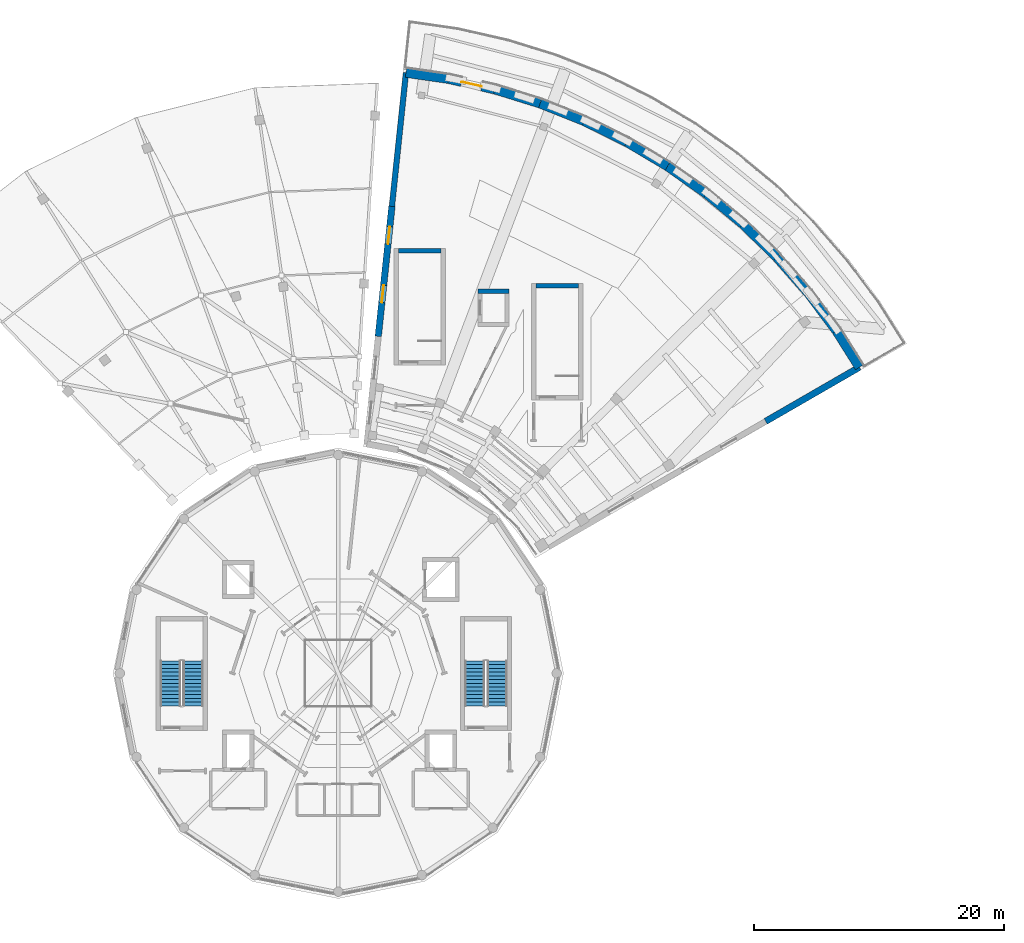
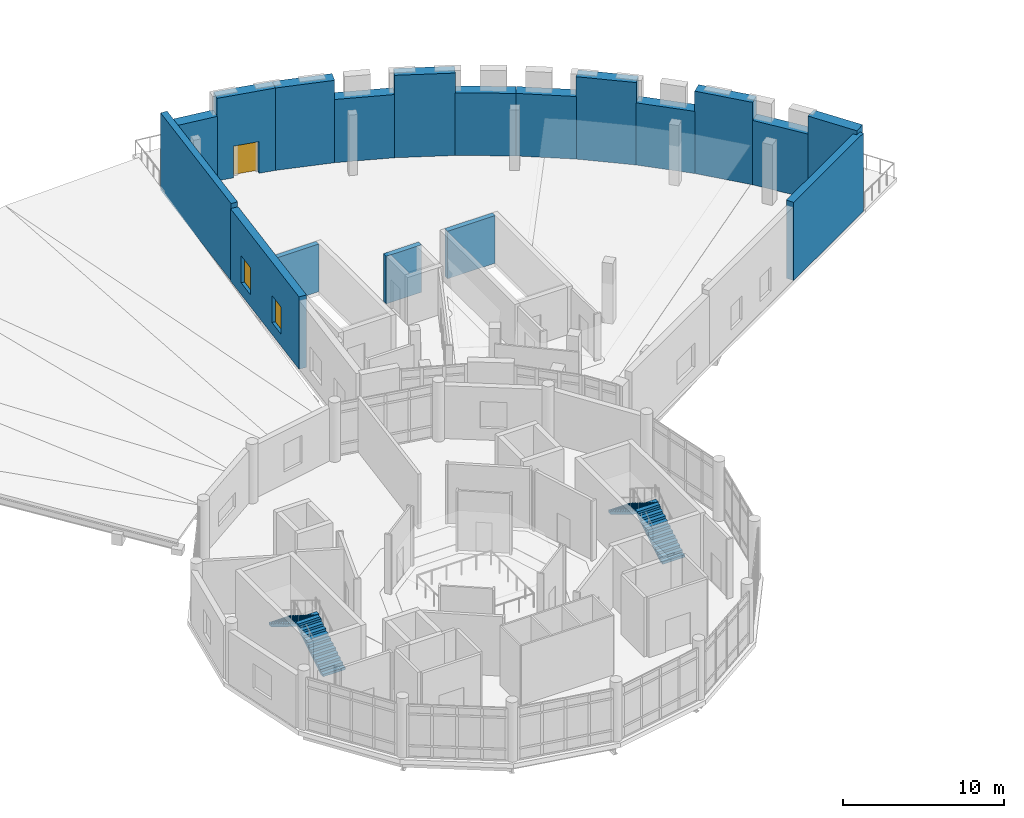
# One storey, part 24 of 27: 18 walls, 4 stair flights, 2 windows, 1 door, 3 openings, 2 elements without a shape of their own.
"""IFC4 building model written with IfcOpenShell, lengths in metres."""

from ifc_helpers import new_model, si_unit, direction, frame, frame_2d, origin, place, context, subcontext, project, spatial, polyline, rectangle, outline, extrude, material, layer, layer_set, type_object, element, fill, aggregate, save


model = new_model("IFC4")

# Units and contexts
model_context = context("Model", 3, precision=1e-05, world=origin(), true_north=direction((0.0, 1.0)))
body_context = subcontext(model_context, "Body", "Model", "MODEL_VIEW")
ifc_project = project(units=[si_unit("LENGTHUNIT", "METRE"), si_unit("AREAUNIT", "SQUARE_METRE"), si_unit("VOLUMEUNIT", "CUBIC_METRE"), si_unit("PLANEANGLEUNIT", "RADIAN"), si_unit("MASSUNIT", "GRAM", prefix="KILO")], contexts=[model_context])

# Site, building, storey
site_placement = place(None, origin())
site = spatial("IfcSite", under=ifc_project, at=site_placement, CompositionType="ELEMENT")
building_placement = place(site_placement, origin())
building = spatial("IfcBuilding", under=site, at=building_placement, Name="Soyqirgoq Riverine Aquarium", CompositionType="ELEMENT")
storey_placement = place(building_placement, frame((0.0, 0.0, 19.800048828125)))
storey = spatial("IfcBuildingStorey", under=building, at=storey_placement, Name="L05", CompositionType="ELEMENT", Elevation=19.800048828125)

# Walls
ifc_material_1 = material(Name="Concrete C40/50", Category="concrete")
ifc_layer_1 = layer(ifc_material_1, 0.35009765625)
ifc_layer_set_1 = layer_set([ifc_layer_1], Name="Concrete C40/50")
wall_type_1 = type_object("IfcWallType", Name="CoreShearWall_350_C40", PredefinedType="SHEAR", material=ifc_layer_set_1)
wall_1_placement = place(storey_placement, frame((64.199951171875, 90.77490234375, 0.0), z_axis=(0.0, 0.0, 1.0), x_axis=(-1.0, 0.0, 0.0)))
element("IfcWall", 1, at=wall_1_placement, inside=storey, type_object=wall_type_1, Name="CORE-5A L05 Stair Core Shear Wall BACK", PredefinedType="SHEAR", context=body_context, shape_type="SweptSolid", body=[
    extrude(rectangle(XDim=3.39990234375, YDim=0.35009765625, at=frame_2d((1.699951171875, 0.0))), origin(), (0.0, 0.0, 1.0), 3.599853515625),
])
wall_2_placement = place(storey_placement, frame((69.655029296875, 87.530029296875, 0.0), z_axis=(0.0, 0.0, 1.0), x_axis=(-1.0, 0.0, 0.0)))
element("IfcWall", 2, at=wall_2_placement, inside=storey, type_object=wall_type_1, Name="Lift PL-5 Shaft Wall L05 3", PredefinedType="SHEAR", context=body_context, shape_type="SweptSolid", body=[
    extrude(rectangle(XDim=2.510009765625, YDim=0.35009765625, at=frame_2d((1.2548828125, 0.0))), origin(), (0.0, 0.0, 1.0), 3.599853515625),
])
wall_3_placement = place(storey_placement, frame((75.199951171875, 87.97509765625, 0.0), z_axis=(0.0, 0.0, 1.0), x_axis=(-1.0, 0.0, 0.0)))
element("IfcWall", 3, at=wall_3_placement, inside=storey, type_object=wall_type_1, Name="CORE-5B L05 Stair Core Shear Wall BACK", PredefinedType="SHEAR", context=body_context, shape_type="SweptSolid", body=[
    extrude(rectangle(XDim=3.39990234375, YDim=0.35009765625, at=frame_2d((1.699951171875, 0.0))), origin(), (0.0, 0.0, 1.0), 3.599853515625),
])
ifc_material_2 = material(Name="Honed travertine limestone cavity wall", Category="masonry")
ifc_layer_2 = layer(ifc_material_2, 0.449951171875)
ifc_layer_set_2 = layer_set([ifc_layer_2], Name="Honed travertine limestone cavity wall")
wall_type_2 = type_object("IfcWallType", Name="TravertineCavityWall_450", PredefinedType="SOLIDWALL", material=ifc_layer_set_2)
wall_4_placement = place(storey_placement, frame((60.28271484375, 94.3037109375, 0.0), z_axis=(0.0, 0.0, 1.0), x_axis=(0.104535666462, 0.994521138256, 0.0)))
element("IfcWall", 4, at=wall_4_placement, inside=storey, type_object=wall_type_2, Name="V5 L05 Exterior Travertine Wall 0326", PredefinedType="SOLIDWALL", context=body_context, shape_type="SweptSolid", body=[
    extrude(rectangle(XDim=10.738525390625, YDim=0.449951171875, at=frame_2d((5.369140625, 0.0))), origin(), (0.0, 0.0, 1.0), 5.850341796875),
])

# Wall, openings, windows
ifc_material_3 = material(Name="Honed travertine limestone cavity wall", Category="masonry")
ifc_layer_3 = layer(ifc_material_3, 0.52001953125)
ifc_layer_set_3 = layer_set([ifc_layer_3], Name="Honed travertine limestone cavity wall")
wall_type_3 = type_object("IfcWallType", Name="TravertineCavityWall_520", PredefinedType="SOLIDWALL", material=ifc_layer_set_3)
wall_5_placement = place(storey_placement, frame((59.19140625, 83.92041015625, 0.0), z_axis=(0.0, 0.0, 1.0), x_axis=(0.10452654069, 0.994522097437, 0.0)))
wall_5 = element("IfcWall", 5, at=wall_5_placement, inside=storey, type_object=wall_type_3, Name="V5 L05 Exterior Travertine Wall 0325", PredefinedType="SOLIDWALL", context=body_context, shape_type="SweptSolid", body=[
    extrude(rectangle(XDim=10.4404296875, YDim=0.52001953125, at=frame_2d((5.22021484375, 0.0))), origin(), (0.0, 0.0, 1.0), 5.474609375),
])
opening_1_placement = place(wall_5_placement, frame((2.72021484375, 0.0, 0.89990234375)))
opening_1 = element("IfcOpeningElement", 6, at=opening_1_placement, cuts=wall_5, Name="Opening WN-20", PredefinedType="OPENING", context=body_context, shape_type="SweptSolid", body=[
    extrude(rectangle(XDim=1.39990234375, YDim=2.050048828125, at=frame_2d((0.699951171875, 1.02490234375))), frame((0.0, 0.27001953125, 0.0), z_axis=(0.0, -1.0, 0.0), x_axis=(1.0, 0.0, 0.0)), (0.0, 0.0, 1.0), 0.5400390625),
])
opening_2_placement = place(wall_5_placement, frame((7.420166015625, 0.0, 0.89990234375)))
opening_2 = element("IfcOpeningElement", 7, at=opening_2_placement, cuts=wall_5, Name="Opening WN-20", PredefinedType="OPENING", context=body_context, shape_type="SweptSolid", body=[
    extrude(rectangle(XDim=1.39990234375, YDim=2.050048828125, at=frame_2d((0.699951171875, 1.02490234375))), frame((0.0, 0.27001953125, 0.0), z_axis=(0.0, -1.0, 0.0), x_axis=(1.0, 0.0, 0.0)), (0.0, 0.0, 1.0), 0.5400390625),
])
ifc_material_4 = material(Name="Thermally broken aluminium triple low-E window", Category="aluminium")
window_type = type_object("IfcWindowType", Name="Win_Gallery_1400x2050", PartitioningType="DOUBLE_PANEL_VERTICAL", PredefinedType="WINDOW", material=ifc_material_4)
window_1_placement = place(opening_1_placement, origin())
window_1 = element("IfcWindow", 8, at=window_1_placement, inside=storey, type_object=window_type, Name="V5 L05 Facade Window 0270", OverallHeight=2.050048828125, OverallWidth=1.39990234375, PartitioningType="DOUBLE_PANEL_VERTICAL", PredefinedType="WINDOW", context=body_context, shape_type="SweptSolid", body=[
    extrude(rectangle(XDim=1.39990234375, YDim=2.050048828125, at=frame_2d((0.699951171875, 1.02490234375))), frame((0.0, 0.030029296875, 0.0), z_axis=(0.0, -1.0, 0.0), x_axis=(1.0, 0.0, 0.0)), (0.0, 0.0, 1.0), 0.06005859375),
])
fill(opening_1, window_1)
window_2_placement = place(opening_2_placement, origin())
window_2 = element("IfcWindow", 9, at=window_2_placement, inside=storey, type_object=window_type, Name="V5 L05 Facade Window 0271", OverallHeight=2.050048828125, OverallWidth=1.39990234375, PartitioningType="DOUBLE_PANEL_VERTICAL", PredefinedType="WINDOW", context=body_context, shape_type="SweptSolid", body=[
    extrude(rectangle(XDim=1.39990234375, YDim=2.050048828125, at=frame_2d((0.699951171875, 1.02490234375))), frame((0.0, 0.030029296875, 0.0), z_axis=(0.0, -1.0, 0.0), x_axis=(1.0, 0.0, 0.0)), (0.0, 0.0, 1.0), 0.06005859375),
])
fill(opening_2, window_2)

# Walls
wall_6_placement = place(storey_placement, frame((97.63671875, 81.45458984375, 0.0), z_axis=(0.0, 0.0, 1.0), x_axis=(-0.866032373877, -0.499987927251, 0.0)))
element("IfcWall", 10, at=wall_6_placement, inside=storey, type_object=wall_type_3, Name="V5 L05 Exterior Travertine Wall 0339", PredefinedType="SOLIDWALL", context=body_context, shape_type="SweptSolid", body=[
    extrude(rectangle(XDim=8.650634765625, YDim=0.52001953125, at=frame_2d((4.3251953125, 0.0))), origin(), (0.0, 0.0, 1.0), 5.925537109375),
])
ifc_material_5 = material(Name="Honed travertine limestone cavity wall", Category="masonry")
ifc_layer_4 = layer(ifc_material_5, 0.75)
ifc_layer_set_4 = layer_set([ifc_layer_4], Name="Honed travertine limestone cavity wall")
wall_type_4 = type_object("IfcWallType", Name="TravertineNicheWall_750", PredefinedType="SOLIDWALL", material=ifc_layer_set_4)
wall_7_placement = place(storey_placement, frame((61.4052734375, 104.9833984375, 0.0), z_axis=(0.0, 0.0, 1.0), x_axis=(0.989654305804, -0.143472488666, 0.0)))
element("IfcWall", 11, at=wall_7_placement, inside=storey, type_object=wall_type_4, Name="V5 L05 Exterior Travertine Wall 0327", PredefinedType="SOLIDWALL", context=body_context, shape_type="SweptSolid", body=[
    extrude(rectangle(XDim=3.43212890625, YDim=0.75, at=frame_2d((1.716064453125, 0.0))), origin(), (0.0, 0.0, 1.0), 4.87548828125),
])

# Wall, opening, door
wall_8_placement = place(storey_placement, frame((64.802001953125, 104.490966796875, 0.0), z_axis=(0.0, 0.0, 1.0), x_axis=(0.975346772392, -0.220677759604, 0.0)))
wall_8 = element("IfcWall", 12, at=wall_8_placement, inside=storey, type_object=wall_type_4, Name="V5 L05 Exterior Travertine Wall 0328", PredefinedType="SOLIDWALL", context=body_context, shape_type="SweptSolid", body=[
    extrude(rectangle(XDim=3.79248046875, YDim=0.75, at=frame_2d((1.896240234375, 0.0))), origin(), (0.0, 0.0, 1.0), 6.2373046875),
])
opening_3_placement = place(wall_8_placement, frame((1.0712890625, 0.0, 0.0)))
opening_3 = element("IfcOpeningElement", 13, at=opening_3_placement, cuts=wall_8, Name="Opening TD-03", PredefinedType="OPENING", context=body_context, shape_type="SweptSolid", body=[
    extrude(rectangle(XDim=1.64990234375, YDim=2.39990234375, at=frame_2d((0.824951171875, 1.199951171875))), frame((0.0, 0.385009765625, 0.0), z_axis=(0.0, -1.0, 0.0), x_axis=(1.0, 0.0, 0.0)), (0.0, 0.0, 1.0), 0.77001953125),
])
ifc_material_6 = material(Name="Thermally broken aluminium glazed terrace door", Category="aluminium")
door_type = type_object("IfcDoorType", Name="TerraceDoubleDoor_1650x2400", OperationType="DOUBLE_DOOR_SINGLE_SWING", PredefinedType="DOOR", material=ifc_material_6)
door_placement = place(opening_3_placement, origin())
door = element("IfcDoor", 14, at=door_placement, inside=storey, type_object=door_type, Name="EDR-TERR-V5-L05-032 V5 L05 Planted Roof Terrace Access Door", OperationType="DOUBLE_DOOR_SINGLE_SWING", OverallHeight=2.39990234375, OverallWidth=1.64990234375, PredefinedType="DOOR", context=body_context, shape_type="SweptSolid", body=[
    extrude(rectangle(XDim=1.64990234375, YDim=2.39990234375, at=frame_2d((0.824951171875, 1.199951171875))), frame((0.0, 0.02490234375, 0.0), z_axis=(0.0, -1.0, 0.0), x_axis=(1.0, 0.0, 0.0)), (0.0, 0.0, 1.0), 0.050048828125),
])
fill(opening_3, door)

# Walls
wall_9_placement = place(storey_placement, frame((68.5009765625, 103.654052734375, 0.0), z_axis=(0.0, 0.0, 1.0), x_axis=(0.955008821595, -0.296577394074, 0.0)))
element("IfcWall", 15, at=wall_9_placement, inside=storey, type_object=wall_type_4, Name="V5 L05 Exterior Travertine Wall 0329", PredefinedType="SOLIDWALL", context=body_context, shape_type="SweptSolid", body=[
    extrude(rectangle(XDim=3.79248046875, YDim=0.75, at=frame_2d((1.896240234375, 0.0))), origin(), (0.0, 0.0, 1.0), 6.2373046875),
])
wall_10_placement = place(storey_placement, frame((72.122802734375, 102.529296875, 0.0), z_axis=(0.0, 0.0, 1.0), x_axis=(0.928813725565, -0.3705469784, 0.0)))
element("IfcWall", 16, at=wall_10_placement, inside=storey, type_object=wall_type_4, Name="V5 L05 Exterior Travertine Wall 0330", PredefinedType="SOLIDWALL", context=body_context, shape_type="SweptSolid", body=[
    extrude(rectangle(XDim=3.79248046875, YDim=0.75, at=frame_2d((1.896240234375, 0.0))), origin(), (0.0, 0.0, 1.0), 4.785400390625),
])
wall_11_placement = place(storey_placement, frame((75.645263671875, 101.1240234375, 0.0), z_axis=(0.0, 0.0, 1.0), x_axis=(0.896885562372, -0.442262691178, 0.0)))
element("IfcWall", 17, at=wall_11_placement, inside=storey, type_object=wall_type_4, Name="V5 L05 Exterior Travertine Wall 0331", PredefinedType="SOLIDWALL", context=body_context, shape_type="SweptSolid", body=[
    extrude(rectangle(XDim=3.79248046875, YDim=0.75, at=frame_2d((1.896240234375, 0.0))), origin(), (0.0, 0.0, 1.0), 6.2373046875),
])
wall_12_placement = place(storey_placement, frame((79.046630859375, 99.44677734375, 0.0), z_axis=(0.0, 0.0, 1.0), x_axis=(0.859418161219, -0.51127333606, 0.0)))
element("IfcWall", 18, at=wall_12_placement, inside=storey, type_object=wall_type_4, Name="V5 L05 Exterior Travertine Wall 0332", PredefinedType="SOLIDWALL", context=body_context, shape_type="SweptSolid", body=[
    extrude(rectangle(XDim=3.79248046875, YDim=0.75, at=frame_2d((1.896240234375, 0.0))), origin(), (0.0, 0.0, 1.0), 4.7353515625),
])
wall_13_placement = place(storey_placement, frame((82.305908203125, 97.5078125, 0.0), z_axis=(0.0, 0.0, 1.0), x_axis=(0.816628763341, -0.57716328962, 0.0)))
element("IfcWall", 19, at=wall_13_placement, inside=storey, type_object=wall_type_4, Name="V5 L05 Exterior Travertine Wall 0333", PredefinedType="SOLIDWALL", context=body_context, shape_type="SweptSolid", body=[
    extrude(rectangle(XDim=3.792724609375, YDim=0.75, at=frame_2d((1.896484375, 0.0))), origin(), (0.0, 0.0, 1.0), 4.7353515625),
])
wall_14_placement = place(storey_placement, frame((85.403076171875, 95.31884765625, 0.0), z_axis=(0.0, 0.0, 1.0), x_axis=(0.768838295335, -0.639443254422, 0.0)))
element("IfcWall", 20, at=wall_14_placement, inside=storey, type_object=wall_type_4, Name="V5 L05 Exterior Travertine Wall 0334", PredefinedType="SOLIDWALL", context=body_context, shape_type="SweptSolid", body=[
    extrude(rectangle(XDim=3.79248046875, YDim=0.75, at=frame_2d((1.896240234375, 0.0))), origin(), (0.0, 0.0, 1.0), 6.2373046875),
])
wall_15_placement = place(storey_placement, frame((88.31884765625, 92.893798828125, 0.0), z_axis=(0.0, 0.0, 1.0), x_axis=(0.716284037486, -0.69780884033, 0.0)))
element("IfcWall", 21, at=wall_15_placement, inside=storey, type_object=wall_type_4, Name="V5 L05 Exterior Travertine Wall 0335", PredefinedType="SOLIDWALL", context=body_context, shape_type="SweptSolid", body=[
    extrude(rectangle(XDim=3.79248046875, YDim=0.75, at=frame_2d((1.896240234375, 0.0))), origin(), (0.0, 0.0, 1.0), 4.705322265625),
])
wall_16_placement = place(storey_placement, frame((91.035400390625, 90.247314453125, 0.0), z_axis=(0.0, 0.0, 1.0), x_axis=(0.659338242035, -0.751846448811, 0.0)))
element("IfcWall", 22, at=wall_16_placement, inside=storey, type_object=wall_type_4, Name="V5 L05 Exterior Travertine Wall 0336", PredefinedType="SOLIDWALL", context=body_context, shape_type="SweptSolid", body=[
    extrude(rectangle(XDim=3.79248046875, YDim=0.75, at=frame_2d((1.896240234375, 0.0))), origin(), (0.0, 0.0, 1.0), 6.2373046875),
])
wall_17_placement = place(storey_placement, frame((93.535888671875, 87.39599609375, 0.0), z_axis=(0.0, 0.0, 1.0), x_axis=(0.598371342972, -0.801218906361, 0.0)))
element("IfcWall", 23, at=wall_17_placement, inside=storey, type_object=wall_type_4, Name="V5 L05 Exterior Travertine Wall 0337", PredefinedType="SOLIDWALL", context=body_context, shape_type="SweptSolid", body=[
    extrude(rectangle(XDim=3.79248046875, YDim=0.75, at=frame_2d((1.896240234375, 0.0))), origin(), (0.0, 0.0, 1.0), 4.875732421875),
])
wall_18_placement = place(storey_placement, frame((95.80517578125, 84.357421875, 0.0), z_axis=(0.0, 0.0, 1.0), x_axis=(0.533612923232, -0.84572882661, 0.0)))
element("IfcWall", 24, at=wall_18_placement, inside=storey, type_object=wall_type_4, Name="V5 L05 Exterior Travertine Wall 0338", PredefinedType="SOLIDWALL", context=body_context, shape_type="SweptSolid", body=[
    extrude(rectangle(XDim=3.432373046875, YDim=0.75, at=frame_2d((1.71630859375, 0.0))), origin(), (0.0, 0.0, 1.0), 6.23681640625),
])

# Stair, stair flights
ifc_material_7 = material(Name="Concrete C35/45", Category="concrete")
stair_type = type_object("IfcStairType", Name="CoreDoglegStair_RC", PredefinedType="HALF_TURN_STAIR", material=ifc_material_7)
stair_1_placement = place(storey_placement, origin())
stair_1 = element("IfcStair", 25, at=stair_1_placement, inside=storey, type_object=stair_type, Name="L05 Enclosed Exit Stair ST-1", PredefinedType="HALF_TURN_STAIR")
ifc_material_8 = material(Name="Concrete C35/45", Category="concrete")
stair_flight_type = type_object("IfcStairFlightType", Name="CoreStairFlight_RC", PredefinedType="STRAIGHT", material=ifc_material_8)
stair_flight_1_placement = place(storey_placement, frame((68.699951171875, 54.39990234375, 0.0), z_axis=(0.0, 0.0, 1.0), x_axis=(0.0, 1.0, 0.0)))
stair_flight_1 = element("IfcStairFlight", 26, at=stair_flight_1_placement, type_object=stair_flight_type, Name="ST-1 flight 1", NumberOfRisers=13, NumberOfTreads=12, PredefinedType="STRAIGHT", RiserHeight=0.184615385, TreadLength=0.3, context=body_context, shape_type="SweptSolid", body=[
    extrude(outline(polyline([(0.0, 0.0), (0.0, 0.1845703125), (0.300048828125, 0.1845703125), (0.300048828125, 0.369140625), (0.60009765625, 0.369140625), (0.60009765625, 0.553955078125), (0.89990234375, 0.553955078125), (0.89990234375, 0.738525390625), (1.199951171875, 0.738525390625), (1.199951171875, 0.923095703125), (1.5, 0.923095703125), (1.5, 1.107666015625), (1.800048828125, 1.107666015625), (1.800048828125, 1.292236328125), (2.10009765625, 1.292236328125), (2.10009765625, 1.476806640625), (2.39990234375, 1.476806640625), (2.39990234375, 1.66162109375), (2.699951171875, 1.66162109375), (2.699951171875, 1.84619140625), (3.0, 1.84619140625), (3.0, 2.03076171875), (3.300048828125, 2.03076171875), (3.300048828125, 2.21533203125), (3.60009765625, 2.21533203125), (3.60009765625, 2.39990234375), (3.60009765625, 2.039306640625), (0.2861328125, 0.0), (0.0, 0.0)])), frame((0.0, 0.800048828125, 0.0), z_axis=(0.0, -1.0, 0.0), x_axis=(1.0, 0.0, 0.0)), (0.0, 0.0, 1.0), 1.60009765625),
])
stair_flight_2_placement = place(storey_placement, frame((66.89990234375, 58.0, 2.39990234375), z_axis=(0.0, 0.0, 1.0), x_axis=(0.0, -1.0, 0.0)))
stair_flight_2 = element("IfcStairFlight", 27, at=stair_flight_2_placement, type_object=stair_flight_type, Name="ST-1 flight 2", NumberOfRisers=13, NumberOfTreads=12, PredefinedType="STRAIGHT", RiserHeight=0.184615385, TreadLength=0.3, context=body_context, shape_type="SweptSolid", body=[
    extrude(outline(polyline([(0.0, 0.0), (0.0, 0.1845703125), (0.300048828125, 0.1845703125), (0.300048828125, 0.369140625), (0.60009765625, 0.369140625), (0.60009765625, 0.553955078125), (0.89990234375, 0.553955078125), (0.89990234375, 0.738525390625), (1.199951171875, 0.738525390625), (1.199951171875, 0.923095703125), (1.5, 0.923095703125), (1.5, 1.107666015625), (1.800048828125, 1.107666015625), (1.800048828125, 1.292236328125), (2.10009765625, 1.292236328125), (2.10009765625, 1.476806640625), (2.39990234375, 1.476806640625), (2.39990234375, 1.66162109375), (2.699951171875, 1.66162109375), (2.699951171875, 1.84619140625), (3.0, 1.84619140625), (3.0, 2.03076171875), (3.300048828125, 2.03076171875), (3.300048828125, 2.21533203125), (3.60009765625, 2.21533203125), (3.60009765625, 2.39990234375), (3.60009765625, 2.039306640625), (0.2861328125, 0.0), (0.0, 0.0)])), frame((0.0, 0.800048828125, 0.0), z_axis=(0.0, -1.0, 0.0), x_axis=(1.0, 0.0, 0.0)), (0.0, 0.0, 1.0), 1.60009765625),
])
aggregate(stair_1, [stair_flight_1, stair_flight_2])

stair_2_placement = place(storey_placement, origin())
stair_2 = element("IfcStair", 28, at=stair_2_placement, inside=storey, type_object=stair_type, Name="L05 Enclosed Exit Stair ST-9", PredefinedType="HALF_TURN_STAIR")
stair_flight_3_placement = place(storey_placement, frame((44.39990234375, 54.39990234375, 0.0), z_axis=(0.0, 0.0, 1.0), x_axis=(0.0, 1.0, 0.0)))
stair_flight_3 = element("IfcStairFlight", 29, at=stair_flight_3_placement, type_object=stair_flight_type, Name="ST-9 flight 1", NumberOfRisers=13, NumberOfTreads=12, PredefinedType="STRAIGHT", RiserHeight=0.184615385, TreadLength=0.3, context=body_context, shape_type="SweptSolid", body=[
    extrude(outline(polyline([(0.0, 0.0), (0.0, 0.1845703125), (0.300048828125, 0.1845703125), (0.300048828125, 0.369140625), (0.60009765625, 0.369140625), (0.60009765625, 0.553955078125), (0.89990234375, 0.553955078125), (0.89990234375, 0.738525390625), (1.199951171875, 0.738525390625), (1.199951171875, 0.923095703125), (1.5, 0.923095703125), (1.5, 1.107666015625), (1.800048828125, 1.107666015625), (1.800048828125, 1.292236328125), (2.10009765625, 1.292236328125), (2.10009765625, 1.476806640625), (2.39990234375, 1.476806640625), (2.39990234375, 1.66162109375), (2.699951171875, 1.66162109375), (2.699951171875, 1.84619140625), (3.0, 1.84619140625), (3.0, 2.03076171875), (3.300048828125, 2.03076171875), (3.300048828125, 2.21533203125), (3.60009765625, 2.21533203125), (3.60009765625, 2.39990234375), (3.60009765625, 2.039306640625), (0.2861328125, 0.0), (0.0, 0.0)])), frame((0.0, 0.800048828125, 0.0), z_axis=(0.0, -1.0, 0.0), x_axis=(1.0, 0.0, 0.0)), (0.0, 0.0, 1.0), 1.60009765625),
])
stair_flight_4_placement = place(storey_placement, frame((42.60009765625, 58.0, 2.39990234375), z_axis=(0.0, 0.0, 1.0), x_axis=(0.0, -1.0, 0.0)))
stair_flight_4 = element("IfcStairFlight", 30, at=stair_flight_4_placement, type_object=stair_flight_type, Name="ST-9 flight 2", NumberOfRisers=13, NumberOfTreads=12, PredefinedType="STRAIGHT", RiserHeight=0.184615385, TreadLength=0.3, context=body_context, shape_type="SweptSolid", body=[
    extrude(outline(polyline([(0.0, 0.0), (0.0, 0.1845703125), (0.300048828125, 0.1845703125), (0.300048828125, 0.369140625), (0.60009765625, 0.369140625), (0.60009765625, 0.553955078125), (0.89990234375, 0.553955078125), (0.89990234375, 0.738525390625), (1.199951171875, 0.738525390625), (1.199951171875, 0.923095703125), (1.5, 0.923095703125), (1.5, 1.107666015625), (1.800048828125, 1.107666015625), (1.800048828125, 1.292236328125), (2.10009765625, 1.292236328125), (2.10009765625, 1.476806640625), (2.39990234375, 1.476806640625), (2.39990234375, 1.66162109375), (2.699951171875, 1.66162109375), (2.699951171875, 1.84619140625), (3.0, 1.84619140625), (3.0, 2.03076171875), (3.300048828125, 2.03076171875), (3.300048828125, 2.21533203125), (3.60009765625, 2.21533203125), (3.60009765625, 2.39990234375), (3.60009765625, 2.039306640625), (0.2861328125, 0.0), (0.0, 0.0)])), frame((0.0, 0.800048828125, 0.0), z_axis=(0.0, -1.0, 0.0), x_axis=(1.0, 0.0, 0.0)), (0.0, 0.0, 1.0), 1.60009765625),
])
aggregate(stair_2, [stair_flight_3, stair_flight_4])

save(model, "model.ifc")
